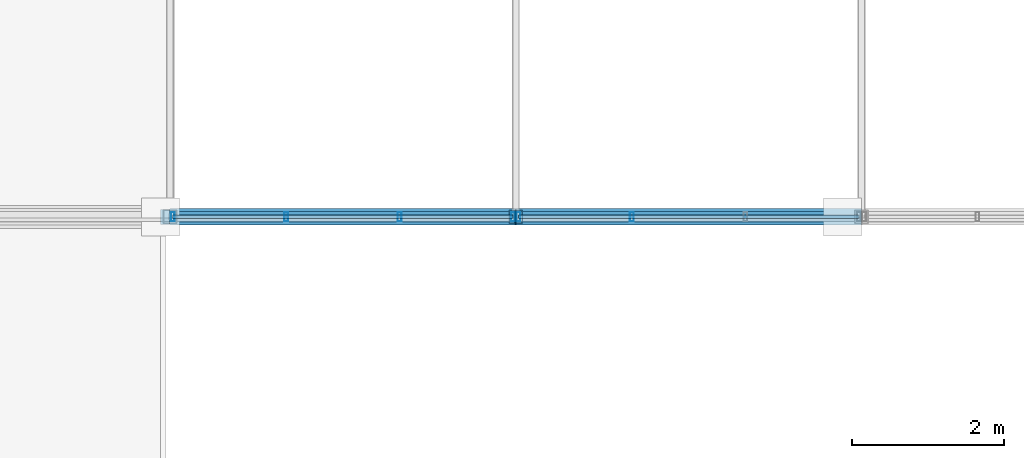
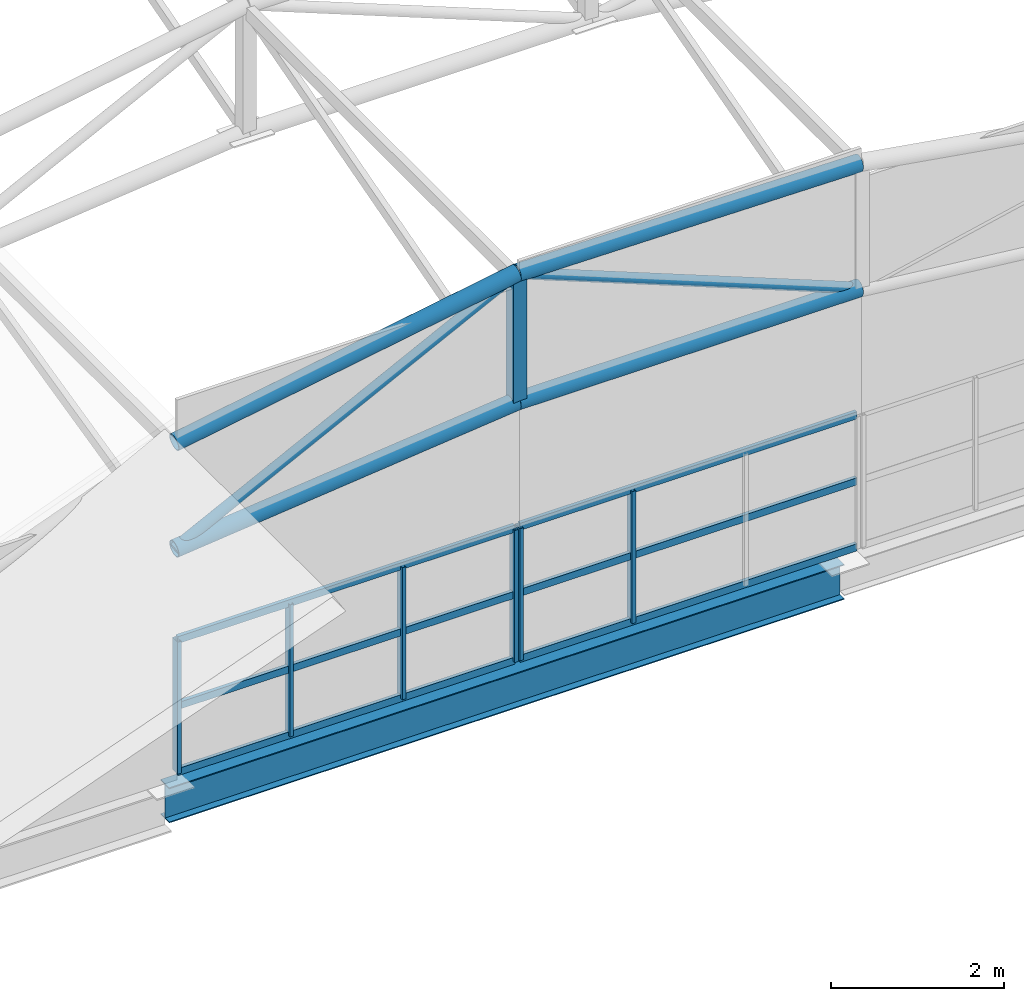
# One storey, part 60 of 101: 19 members, 1 beam, 2 elements without a shape of their own.
"""IFC4 building model written with IfcOpenShell, lengths in metres."""

import ifcopenshell
import ifcopenshell.guid

model = None  # the IFC model being written
_history = None  # IfcOwnerHistory: only IFC2X3 demands one
_inside = {}  # id of a spatial element -> (the spatial element, [elements in it])
_under = {}  # id of a project, library or spatial element -> (it, [spatial elements below it])
_declared = {}  # id of a project -> (the project, [libraries it declares])
_typed = {}  # id of a type object -> (the type object, [elements of that type])
_made_of = {}  # id of a material, layer set ... -> (it, [elements and type objects made of it])


def new_model(schema):
    """Start an empty IFC model of exactly this schema.

    Asked for "IFC4X3", IfcOpenShell would pick the latest addendum, in which some entities
    have other attributes; the version numbers below select the first issue.
    IFC2X3 requires an IfcOwnerHistory on every rooted entity: one is made here for all.
    """
    global model, _history
    if schema == "IFC4X3":
        model = ifcopenshell.file(schema_version=(4, 3, 0, 0))
    else:
        model = ifcopenshell.file(schema=schema)
    _inside.clear()
    _under.clear()
    _declared.clear()
    _typed.clear()
    _made_of.clear()
    _history = None
    if model.schema == "IFC2X3":
        org = make("IfcOrganization", Name="unknown")
        user = make(
            "IfcPersonAndOrganization",
            ThePerson=make("IfcPerson", FamilyName="unknown"),
            TheOrganization=org,
        )
        app = make(
            "IfcApplication",
            ApplicationDeveloper=org,
            Version="unknown",
            ApplicationFullName="unknown",
            ApplicationIdentifier="unknown",
        )
        _history = make(
            "IfcOwnerHistory",
            OwningUser=user,
            OwningApplication=app,
            ChangeAction="ADDED",
            CreationDate=0,
        )
    return model


def make(cls, **values):
    """One entity of the class cls with the attributes given. An attribute that is None is left unset."""
    return model.create_entity(
        cls, **{name: value for name, value in values.items() if value is not None}
    )


def rooted(cls, **values):
    """An entity with a GlobalId (a new one), such as an element, a storey or a relation."""
    return make(cls, GlobalId=ifcopenshell.guid.new(), OwnerHistory=_history, **values)


def si_unit(unit_type, name, prefix=None):
    """IfcSIUnit, for example si_unit("LENGTHUNIT", "METRE", prefix="MILLI")."""
    return make("IfcSIUnit", UnitType=unit_type, Prefix=prefix, Name=name)


def assignment(units):
    """IfcUnitAssignment: the units of a project."""
    return None if units is None else make("IfcUnitAssignment", Units=units)


def point(xyz):
    """IfcCartesianPoint."""
    return None if xyz is None else make("IfcCartesianPoint", Coordinates=xyz)


def direction(xyz):
    """IfcDirection."""
    return None if xyz is None else make("IfcDirection", DirectionRatios=xyz)


def frame(location, z_axis=None, x_axis=None):
    """IfcAxis2Placement3D, a coordinate frame: its origin and axes. An axis left out is left unset."""
    return make(
        "IfcAxis2Placement3D",
        Location=point(location),
        Axis=direction(z_axis),
        RefDirection=direction(x_axis),
    )


def frame_2d(location, x_axis=None):
    """IfcAxis2Placement2D, a coordinate frame in the plane: its origin and x axis."""
    return make(
        "IfcAxis2Placement2D", Location=point(location), RefDirection=direction(x_axis)
    )


def origin():
    """The frame at (0, 0, 0) with its axes left unset."""
    return frame((0.0, 0.0, 0.0))


def origin_2d():
    """The frame at (0, 0) in the plane with its x axis left unset."""
    return frame_2d((0.0, 0.0))


def place(relative_to, where):
    """IfcLocalPlacement: puts the frame where relative to a parent placement (None: the world)."""
    return make(
        "IfcLocalPlacement", PlacementRelTo=relative_to, RelativePlacement=where
    )


def context(
    kind, dimensions, precision=None, world=None, true_north=None, identifier=None
):
    """IfcGeometricRepresentationContext, for example the 3D "Model" context."""
    return make(
        "IfcGeometricRepresentationContext",
        ContextIdentifier=identifier,
        ContextType=kind,
        CoordinateSpaceDimension=dimensions,
        Precision=precision,
        WorldCoordinateSystem=world,
        TrueNorth=true_north,
    )


def subcontext(parent, identifier, kind, view, scale=None):
    """IfcGeometricRepresentationSubContext, for example "Body" below "Model"."""
    return make(
        "IfcGeometricRepresentationSubContext",
        ContextIdentifier=identifier,
        ContextType=kind,
        ParentContext=parent,
        TargetScale=scale,
        TargetView=view,
    )


def project(units=None, contexts=None):
    """IfcProject with its units and contexts."""
    return rooted(
        "IfcProject",
        Name="project",
        RepresentationContexts=contexts,
        UnitsInContext=assignment(units),
    )


def spatial(cls, under=None, at=None, **own):
    """A site, building, storey or space (cls), placed at a placement, below another one or the project."""
    s = rooted(cls, ObjectPlacement=at, **own)
    if under is not None:
        _under.setdefault(under.id(), (under, []))[1].append(s)
    return s


def profile(cls, at=None, kind="AREA", **sizes):
    """A parametric profile (cls). Its sizes go by their IFC names, for example OverallWidth=200.0."""
    return make(cls, ProfileType=kind, Position=at, **sizes)


def hollow_rectangle(**sizes):
    """IfcRectangleHollowProfileDef."""
    return profile("IfcRectangleHollowProfileDef", **sizes)


def hollow_circle(**sizes):
    """IfcCircleHollowProfileDef."""
    return profile("IfcCircleHollowProfileDef", **sizes)


def i_section(**sizes):
    """IfcIShapeProfileDef."""
    return profile("IfcIShapeProfileDef", **sizes)


def extrude(swept, where, along, depth):
    """IfcExtrudedAreaSolid: the profile swept, set in the frame where, extruded along a direction by depth."""
    return make(
        "IfcExtrudedAreaSolid",
        SweptArea=swept,
        Position=where,
        ExtrudedDirection=direction(along),
        Depth=depth,
    )


def shape(context_of_items, identifier, shape_type, items):
    """IfcShapeRepresentation: the items that make up one representation, for example the "Body"."""
    return make(
        "IfcShapeRepresentation",
        ContextOfItems=context_of_items,
        RepresentationIdentifier=identifier,
        RepresentationType=shape_type,
        Items=items,
    )


def material(Name=None, Category=None):
    """IfcMaterial."""
    return make("IfcMaterial", Name=Name, Category=Category)


def material_profile(
    of_material, cross_section, Name=None, Category=None, Priority=None
):
    """IfcMaterialProfile: a cross section and its material."""
    return make(
        "IfcMaterialProfile",
        Name=Name,
        Material=of_material,
        Profile=cross_section,
        Priority=Priority,
        Category=Category,
    )


def profile_set(profiles, Name=None, composite=None):
    """IfcMaterialProfileSet."""
    return make(
        "IfcMaterialProfileSet",
        Name=Name,
        MaterialProfiles=profiles,
        CompositeProfile=composite,
    )


def made_of(thing, what):
    """Note that an element or type object is made of a material, layer set ...; save() writes the relation."""
    if what is not None:
        _made_of.setdefault(what.id(), (what, []))[1].append(thing)
    return thing


def type_object(cls, material=None, **own):
    """A type object (cls), such as IfcWallType, which elements share."""
    return made_of(rooted(cls, **own), material)


def element(
    cls,
    number,
    at=None,
    inside=None,
    cuts=None,
    type_object=None,
    material=None,
    context=None,
    identifier="Body",
    shape_type=None,
    held_by="IfcProductDefinitionShape",
    body=None,
    shapes=None,
    **own,
):
    """One element of the class cls, such as IfcWall. Its Tag is "e" and its number.

    at: its placement. inside: the storey or other place that contains it. cuts: it is an
    opening in that element (IfcRelVoidsElement). A single representation is given by context,
    identifier, shape_type and body (its items); several are given by shapes. held_by: the class
    of the entity that holds the representations. save() writes the other relations.
    """
    e = rooted(cls, Tag="e%d" % number, ObjectPlacement=at, **own)
    if body is not None:
        shapes = [shape(context, identifier, shape_type, body)]
    if shapes is not None:
        e.Representation = make(held_by, Representations=shapes)
    if inside is not None:
        _inside.setdefault(inside.id(), (inside, []))[1].append(e)
    if cuts is not None:
        rooted(
            "IfcRelVoidsElement", RelatingBuildingElement=cuts, RelatedOpeningElement=e
        )
    if type_object is not None:
        _typed.setdefault(type_object.id(), (type_object, []))[1].append(e)
    return made_of(e, material)


def aggregate(whole, parts):
    """IfcRelAggregates: a whole, such as a stair, and the parts it consists of."""
    return rooted("IfcRelAggregates", RelatingObject=whole, RelatedObjects=parts)


def save(model, path):
    """Write the relations noted so far, then the file.

    IfcRelAggregates (storeys below a building ...), IfcRelContainedInSpatialStructure (elements
    in a storey), IfcRelDefinesByType, IfcRelAssociatesMaterial and IfcRelDeclares: one each for
    every whole, place, type object, material and project.
    """
    for whole, parts in _under.values():
        aggregate(whole, parts)
    for where, things in _inside.values():
        rooted(
            "IfcRelContainedInSpatialStructure",
            RelatedElements=things,
            RelatingStructure=where,
        )
    for kind, things in _typed.values():
        rooted("IfcRelDefinesByType", RelatedObjects=things, RelatingType=kind)
    for what, things in _made_of.values():
        rooted("IfcRelAssociatesMaterial", RelatedObjects=things, RelatingMaterial=what)
    for by, libraries in _declared.values():
        rooted("IfcRelDeclares", RelatingContext=by, RelatedDefinitions=libraries)
    model.write(path)


model = new_model("IFC4")

# Units and contexts
model_context = context("Model", 3, precision=1e-05, world=origin(), true_north=direction((0.0, 1.0)))
body_context = subcontext(model_context, "Body", "Model", "MODEL_VIEW")
ifc_project = project(units=[si_unit("LENGTHUNIT", "METRE"), si_unit("AREAUNIT", "SQUARE_METRE"), si_unit("VOLUMEUNIT", "CUBIC_METRE"), si_unit("PLANEANGLEUNIT", "RADIAN"), si_unit("MASSUNIT", "GRAM", prefix="KILO")], contexts=[model_context])

# Site, building, storey
site_placement = place(None, origin())
site = spatial("IfcSite", under=ifc_project, at=site_placement, CompositionType="ELEMENT")
building_placement = place(site_placement, origin())
building = spatial("IfcBuilding", under=site, at=building_placement, Name="Solvikara Media Centre", CompositionType="ELEMENT")
storey_placement = place(building_placement, frame((0.0, 0.0, 10.199951171875)))
storey = spatial("IfcBuildingStorey", under=building, at=storey_placement, Name="L02", CompositionType="ELEMENT", Elevation=10.199951171875)

# Beam
ifc_material_1 = material(Name="Steel S355JR", Category="steel")
ifc_material_profile_1 = material_profile(ifc_material_1, i_section(OverallWidth=0.198974609375, OverallDepth=0.49609375, WebThickness=0.009033203125, FlangeThickness=0.013916015625, at=origin_2d()), Name="H 496x199x9x14")
ifc_profile_set_1 = profile_set([ifc_material_profile_1], Name="Steel S355JR")
beam_type = type_object("IfcBeamType", Name="BM-42", PredefinedType="BEAM", material=ifc_profile_set_1)
beam_placement = place(storey_placement, frame((136.5, 89.0, -0.347900390625), z_axis=(1.0, 0.0, 0.0), x_axis=(0.0, 1.0, 0.0)))
element("IfcBeam", 1, at=beam_placement, inside=storey, type_object=beam_type, Name="B-L02-X0894", PredefinedType="BEAM", context=body_context, shape_type="SweptSolid", body=[
    extrude(i_section(OverallWidth=0.198974609375, OverallDepth=0.49609375, WebThickness=0.009033203125, FlangeThickness=0.013916015625, at=origin_2d()), origin(), (0.0, 0.0, 1.0), 9.0),
])

# Members
ifc_material_profile_2 = material_profile(ifc_material_1, hollow_circle(Radius=0.109619140625, WallThickness=0.008056640625, at=origin_2d()), Name="CHS 219.1x8")
ifc_profile_set_2 = profile_set([ifc_material_profile_2], Name="Steel S355JR")
member_type_1 = type_object("IfcMemberType", Name="MB-05", PredefinedType="CHORD", material=ifc_profile_set_2)
member_1_placement = place(storey_placement, frame((136.625, 89.0, 4.66796875), z_axis=(0.98541075968, 0.0, 0.170192933775), x_axis=(0.0, 1.0, 0.0)))
element("IfcMember", 2, at=member_1_placement, inside=storey, type_object=member_type_1, Name="BSB-TC-00-02", PredefinedType="CHORD", context=body_context, shape_type="SweptSolid", body=[
    extrude(hollow_circle(Radius=0.109619140625, WallThickness=0.008056640625, at=origin_2d()), origin(), (0.0, 0.0, 1.0), 4.630615234375),
])
member_2_placement = place(storey_placement, frame((136.625, 89.0, 3.16796875), z_axis=(0.994463096743, 0.0, 0.105086389303), x_axis=(0.0, 1.0, 0.0)))
element("IfcMember", 3, at=member_2_placement, inside=storey, type_object=member_type_1, Name="BSB-BC-00-02", PredefinedType="CHORD", context=body_context, shape_type="SweptSolid", body=[
    extrude(hollow_circle(Radius=0.109619140625, WallThickness=0.008056640625, at=origin_2d()), origin(), (0.0, 0.0, 1.0), 4.58837890625),
])
member_3_placement = place(storey_placement, frame((141.18798828125, 89.0, 5.4560546875), z_axis=(0.999949391899, 0.0, -0.010060499073), x_axis=(0.0, 1.0, 0.0)))
element("IfcMember", 4, at=member_3_placement, inside=storey, type_object=member_type_1, Name="BSB-TC-00-03", PredefinedType="CHORD", context=body_context, shape_type="SweptSolid", body=[
    extrude(hollow_circle(Radius=0.109619140625, WallThickness=0.008056640625, at=origin_2d()), origin(), (0.0, 0.0, 1.0), 4.562255859375),
])
member_4_placement = place(storey_placement, frame((141.18798828125, 89.0, 3.650146484375), z_axis=(1.0, 0.0, 0.0), x_axis=(0.0, 1.0, 0.0)))
element("IfcMember", 5, at=member_4_placement, inside=storey, type_object=member_type_1, Name="BSB-BC-00-03", PredefinedType="CHORD", context=body_context, shape_type="SweptSolid", body=[
    extrude(hollow_circle(Radius=0.109619140625, WallThickness=0.008056640625, at=origin_2d()), origin(), (0.0, 0.0, 1.0), 4.56201171875),
])
ifc_material_profile_3 = material_profile(ifc_material_1, hollow_circle(Radius=0.06982421875, WallThickness=0.00634765625, at=origin_2d()), Name="CHS 139.7x6.3")
ifc_profile_set_3 = profile_set([ifc_material_profile_3], Name="Steel S355JR")
member_type_2 = type_object("IfcMemberType", Name="MB-08", PredefinedType="BRACE", material=ifc_profile_set_3)
member_5_placement = place(storey_placement, frame((136.625, 89.0, 3.16796875), z_axis=(0.893910049242, 0.0, 0.448246387453), x_axis=(0.0, 1.0, 0.0)))
element("IfcMember", 6, at=member_5_placement, inside=storey, type_object=member_type_2, Name="BSB-DG-00-02", PredefinedType="BRACE", context=body_context, shape_type="SweptSolid", body=[
    extrude(hollow_circle(Radius=0.06982421875, WallThickness=0.00634765625, at=origin_2d()), origin(), (0.0, 0.0, 1.0), 5.1044921875),
])
member_6_placement = place(storey_placement, frame((141.18798828125, 89.0, 5.4560546875), z_axis=(0.929798808243, 0.0, -0.368068167857), x_axis=(0.0, 1.0, 0.0)))
element("IfcMember", 7, at=member_6_placement, inside=storey, type_object=member_type_2, Name="BSB-DG-00-03", PredefinedType="BRACE", context=body_context, shape_type="SweptSolid", body=[
    extrude(hollow_circle(Radius=0.06982421875, WallThickness=0.00634765625, at=origin_2d()), origin(), (0.0, 0.0, 1.0), 4.906494140625),
])
ifc_material_profile_4 = material_profile(ifc_material_1, hollow_rectangle(XDim=0.179931640625, YDim=0.179931640625, WallThickness=0.008056640625, at=origin_2d()), Name="RHS 180x180x8")
ifc_profile_set_4 = profile_set([ifc_material_profile_4], Name="Steel S355JR")
member_type_3 = type_object("IfcMemberType", Name="MB-14", PredefinedType="BRACE", material=ifc_profile_set_4)
member_7_placement = place(storey_placement, frame((141.18798828125, 89.0, 3.650146484375), z_axis=(0.0, 0.0, 1.0), x_axis=(1.0, 0.0, 0.0)))
element("IfcMember", 8, at=member_7_placement, inside=storey, type_object=member_type_3, Name="BSB-VT-00-03", PredefinedType="BRACE", context=body_context, shape_type="SweptSolid", body=[
    extrude(hollow_rectangle(XDim=0.179931640625, YDim=0.179931640625, WallThickness=0.008056640625, at=origin_2d()), origin(), (0.0, 0.0, 1.0), 1.805908203125),
])

# Curtain wall, members
ifc_material_2 = material(Name="Anodised aluminium EN AW-6063", Category="aluminium")
curtain_wall_type = type_object("IfcCurtainWallType", Name="CW-12", PredefinedType="NOTDEFINED", material=ifc_material_2)
curtain_wall_1_placement = place(storey_placement, origin())
curtain_wall_1 = element("IfcCurtainWall", 9, at=curtain_wall_1_placement, inside=storey, type_object=curtain_wall_type, Name="CW-BSBS-CLR-02", PredefinedType="NOTDEFINED")
ifc_material_profile_5 = material_profile(ifc_material_2, hollow_rectangle(XDim=0.050048828125, YDim=0.1201171875, WallThickness=0.0029296875, at=origin_2d()), Name="ALU-M 50x120x3")
ifc_profile_set_5 = profile_set([ifc_material_profile_5], Name="Anodised aluminium EN AW-6063")
member_type_4 = type_object("IfcMemberType", Name="MF-06", PredefinedType="MULLION", material=ifc_profile_set_5)
member_8_placement = place(storey_placement, frame((136.659912109375, 89.0, 0.02001953125), z_axis=(0.0, 0.0, 1.0), x_axis=(1.0, 0.0, 0.0)))
member_8 = element("IfcMember", 10, at=member_8_placement, type_object=member_type_4, Name="CW-BSBS-CLR-02-M00", PredefinedType="MULLION", context=body_context, shape_type="SweptSolid", body=[
    extrude(hollow_rectangle(XDim=0.050048828125, YDim=0.1201171875, WallThickness=0.0029296875, at=origin_2d()), origin(), (0.0, 0.0, 1.0), 1.860107421875),
])
member_9_placement = place(storey_placement, frame((138.157958984375, 89.0, 0.02001953125), z_axis=(0.0, 0.0, 1.0), x_axis=(1.0, 0.0, 0.0)))
member_9 = element("IfcMember", 11, at=member_9_placement, type_object=member_type_4, Name="CW-BSBS-CLR-02-M01", PredefinedType="MULLION", context=body_context, shape_type="SweptSolid", body=[
    extrude(hollow_rectangle(XDim=0.050048828125, YDim=0.1201171875, WallThickness=0.0029296875, at=origin_2d()), origin(), (0.0, 0.0, 1.0), 1.860107421875),
])
member_10_placement = place(storey_placement, frame((139.655029296875, 89.0, 0.02001953125), z_axis=(0.0, 0.0, 1.0), x_axis=(1.0, 0.0, 0.0)))
member_10 = element("IfcMember", 12, at=member_10_placement, type_object=member_type_4, Name="CW-BSBS-CLR-02-M02", PredefinedType="MULLION", context=body_context, shape_type="SweptSolid", body=[
    extrude(hollow_rectangle(XDim=0.050048828125, YDim=0.1201171875, WallThickness=0.0029296875, at=origin_2d()), origin(), (0.0, 0.0, 1.0), 1.860107421875),
])
member_11_placement = place(storey_placement, frame((141.153076171875, 89.0, 0.02001953125), z_axis=(0.0, 0.0, 1.0), x_axis=(1.0, 0.0, 0.0)))
member_11 = element("IfcMember", 13, at=member_11_placement, type_object=member_type_4, Name="CW-BSBS-CLR-02-M03", PredefinedType="MULLION", context=body_context, shape_type="SweptSolid", body=[
    extrude(hollow_rectangle(XDim=0.050048828125, YDim=0.1201171875, WallThickness=0.0029296875, at=origin_2d()), origin(), (0.0, 0.0, 1.0), 1.860107421875),
])

curtain_wall_2_placement = place(storey_placement, origin())
curtain_wall_2 = element("IfcCurtainWall", 14, at=curtain_wall_2_placement, inside=storey, type_object=curtain_wall_type, Name="CW-BSBS-CLR-03", PredefinedType="NOTDEFINED")
member_12_placement = place(storey_placement, frame((141.222900390625, 89.0, 0.02001953125), z_axis=(0.0, 0.0, 1.0), x_axis=(1.0, 0.0, 0.0)))
member_12 = element("IfcMember", 15, at=member_12_placement, type_object=member_type_4, Name="CW-BSBS-CLR-03-M00", PredefinedType="MULLION", context=body_context, shape_type="SweptSolid", body=[
    extrude(hollow_rectangle(XDim=0.050048828125, YDim=0.1201171875, WallThickness=0.0029296875, at=origin_2d()), origin(), (0.0, 0.0, 1.0), 1.860107421875),
])
member_13_placement = place(storey_placement, frame((142.719970703125, 89.0, 0.02001953125), z_axis=(0.0, 0.0, 1.0), x_axis=(1.0, 0.0, 0.0)))
member_13 = element("IfcMember", 16, at=member_13_placement, type_object=member_type_4, Name="CW-BSBS-CLR-03-M01", PredefinedType="MULLION", context=body_context, shape_type="SweptSolid", body=[
    extrude(hollow_rectangle(XDim=0.050048828125, YDim=0.1201171875, WallThickness=0.0029296875, at=origin_2d()), origin(), (0.0, 0.0, 1.0), 1.860107421875),
])

# Member
ifc_material_profile_6 = material_profile(ifc_material_2, hollow_rectangle(XDim=0.050048828125, YDim=0.10009765625, WallThickness=0.0029296875, at=origin_2d()), Name="ALU-T 50x100x3")
ifc_profile_set_6 = profile_set([ifc_material_profile_6], Name="Anodised aluminium EN AW-6063")
member_type_5 = type_object("IfcMemberType", Name="MF-12", PredefinedType="USERDEFINED", material=ifc_profile_set_6)
member_14_placement = place(storey_placement, frame((136.659912109375, 89.0, 0.02001953125), z_axis=(1.0, 0.0, 0.0), x_axis=(0.0, 1.0, 0.0)))
member_14 = element("IfcMember", 17, at=member_14_placement, type_object=member_type_5, Name="CW-BSBS-CLR-02-T00", ObjectType="TRANSOM", PredefinedType="USERDEFINED", context=body_context, shape_type="SweptSolid", body=[
    extrude(hollow_rectangle(XDim=0.050048828125, YDim=0.10009765625, WallThickness=0.0029296875, at=origin_2d()), origin(), (0.0, 0.0, 1.0), 4.4931640625),
])

member_15_placement = place(storey_placement, frame((136.659912109375, 89.0, 0.949951171875), z_axis=(1.0, 0.0, 0.0), x_axis=(0.0, 1.0, 0.0)))
member_15 = element("IfcMember", 18, at=member_15_placement, type_object=member_type_5, Name="CW-BSBS-CLR-02-T01", ObjectType="TRANSOM", PredefinedType="USERDEFINED", context=body_context, shape_type="SweptSolid", body=[
    extrude(hollow_rectangle(XDim=0.050048828125, YDim=0.10009765625, WallThickness=0.0029296875, at=origin_2d()), origin(), (0.0, 0.0, 1.0), 4.4931640625),
])

member_16_placement = place(storey_placement, frame((136.659912109375, 89.0, 1.880126953125), z_axis=(1.0, 0.0, 0.0), x_axis=(0.0, 1.0, 0.0)))
member_16 = element("IfcMember", 19, at=member_16_placement, type_object=member_type_5, Name="CW-BSBS-CLR-02-T02", ObjectType="TRANSOM", PredefinedType="USERDEFINED", context=body_context, shape_type="SweptSolid", body=[
    extrude(hollow_rectangle(XDim=0.050048828125, YDim=0.10009765625, WallThickness=0.0029296875, at=origin_2d()), origin(), (0.0, 0.0, 1.0), 4.4931640625),
])

aggregate(curtain_wall_1, [member_8, member_9, member_10, member_11, member_14, member_15, member_16])

member_17_placement = place(storey_placement, frame((141.222900390625, 89.0, 0.02001953125), z_axis=(1.0, 0.0, 0.0), x_axis=(0.0, 1.0, 0.0)))
member_17 = element("IfcMember", 20, at=member_17_placement, type_object=member_type_5, Name="CW-BSBS-CLR-03-T00", ObjectType="TRANSOM", PredefinedType="USERDEFINED", context=body_context, shape_type="SweptSolid", body=[
    extrude(hollow_rectangle(XDim=0.050048828125, YDim=0.10009765625, WallThickness=0.0029296875, at=origin_2d()), origin(), (0.0, 0.0, 1.0), 4.4921875),
])

member_18_placement = place(storey_placement, frame((141.222900390625, 89.0, 0.949951171875), z_axis=(1.0, 0.0, 0.0), x_axis=(0.0, 1.0, 0.0)))
member_18 = element("IfcMember", 21, at=member_18_placement, type_object=member_type_5, Name="CW-BSBS-CLR-03-T01", ObjectType="TRANSOM", PredefinedType="USERDEFINED", context=body_context, shape_type="SweptSolid", body=[
    extrude(hollow_rectangle(XDim=0.050048828125, YDim=0.10009765625, WallThickness=0.0029296875, at=origin_2d()), origin(), (0.0, 0.0, 1.0), 4.4921875),
])

member_19_placement = place(storey_placement, frame((141.222900390625, 89.0, 1.880126953125), z_axis=(1.0, 0.0, 0.0), x_axis=(0.0, 1.0, 0.0)))
member_19 = element("IfcMember", 22, at=member_19_placement, type_object=member_type_5, Name="CW-BSBS-CLR-03-T02", ObjectType="TRANSOM", PredefinedType="USERDEFINED", context=body_context, shape_type="SweptSolid", body=[
    extrude(hollow_rectangle(XDim=0.050048828125, YDim=0.10009765625, WallThickness=0.0029296875, at=origin_2d()), origin(), (0.0, 0.0, 1.0), 4.4921875),
])

aggregate(curtain_wall_2, [member_12, member_13, member_17, member_18, member_19])

save(model, "model.ifc")
